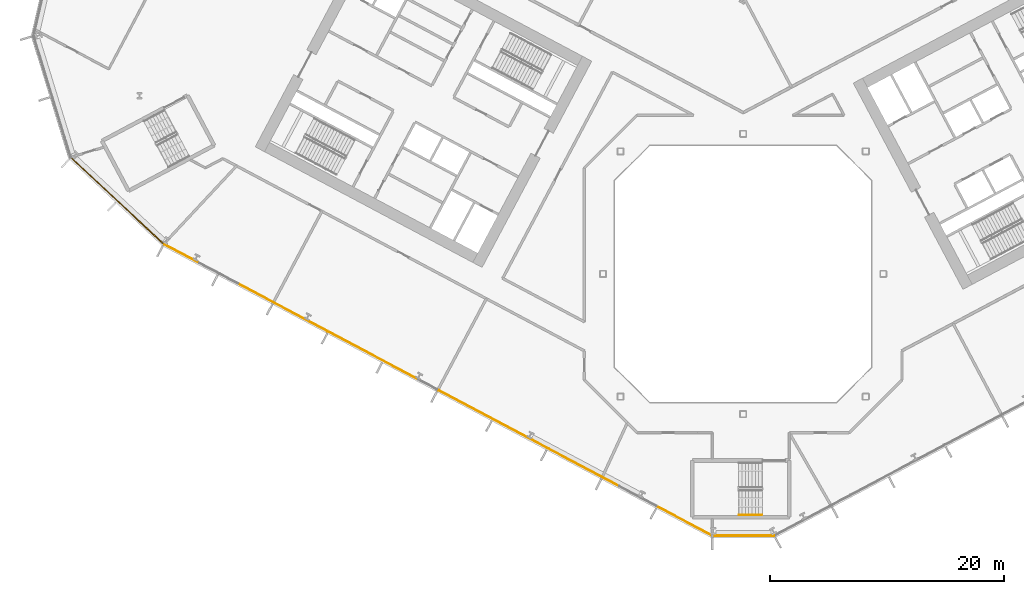
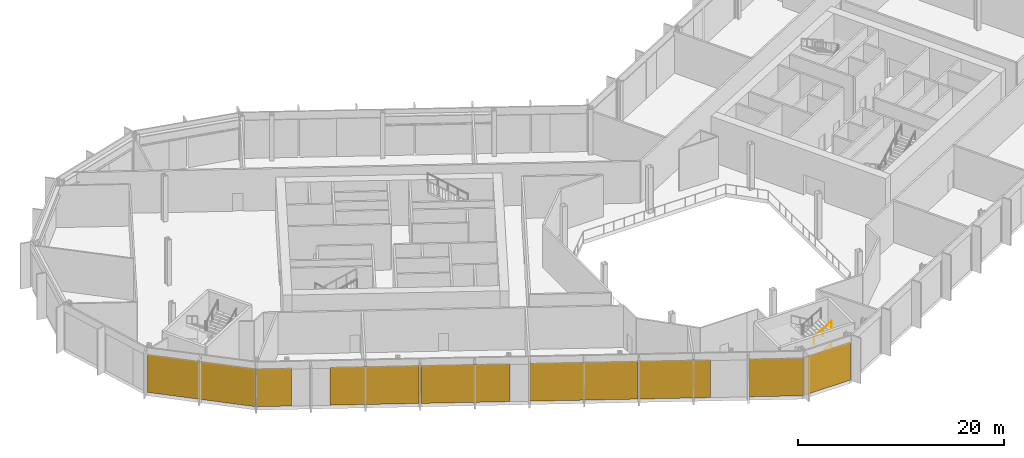
# One storey, part 20 of 31: 8 coverings, 2 railings, 3 elements without a shape of their own.
"""IFC4 building model written with IfcOpenShell, lengths in metres."""

import ifcopenshell
import ifcopenshell.guid

model = None  # the IFC model being written
_history = None  # IfcOwnerHistory: only IFC2X3 demands one
_inside = {}  # id of a spatial element -> (the spatial element, [elements in it])
_under = {}  # id of a project, library or spatial element -> (it, [spatial elements below it])
_declared = {}  # id of a project -> (the project, [libraries it declares])
_typed = {}  # id of a type object -> (the type object, [elements of that type])
_made_of = {}  # id of a material, layer set ... -> (it, [elements and type objects made of it])


def new_model(schema):
    """Start an empty IFC model of exactly this schema.

    Asked for "IFC4X3", IfcOpenShell would pick the latest addendum, in which some entities
    have other attributes; the version numbers below select the first issue.
    IFC2X3 requires an IfcOwnerHistory on every rooted entity: one is made here for all.
    """
    global model, _history
    if schema == "IFC4X3":
        model = ifcopenshell.file(schema_version=(4, 3, 0, 0))
    else:
        model = ifcopenshell.file(schema=schema)
    _inside.clear()
    _under.clear()
    _declared.clear()
    _typed.clear()
    _made_of.clear()
    _history = None
    if model.schema == "IFC2X3":
        org = make("IfcOrganization", Name="unknown")
        user = make(
            "IfcPersonAndOrganization",
            ThePerson=make("IfcPerson", FamilyName="unknown"),
            TheOrganization=org,
        )
        app = make(
            "IfcApplication",
            ApplicationDeveloper=org,
            Version="unknown",
            ApplicationFullName="unknown",
            ApplicationIdentifier="unknown",
        )
        _history = make(
            "IfcOwnerHistory",
            OwningUser=user,
            OwningApplication=app,
            ChangeAction="ADDED",
            CreationDate=0,
        )
    return model


def make(cls, **values):
    """One entity of the class cls with the attributes given. An attribute that is None is left unset."""
    return model.create_entity(
        cls, **{name: value for name, value in values.items() if value is not None}
    )


def rooted(cls, **values):
    """An entity with a GlobalId (a new one), such as an element, a storey or a relation."""
    return make(cls, GlobalId=ifcopenshell.guid.new(), OwnerHistory=_history, **values)


def si_unit(unit_type, name, prefix=None):
    """IfcSIUnit, for example si_unit("LENGTHUNIT", "METRE", prefix="MILLI")."""
    return make("IfcSIUnit", UnitType=unit_type, Prefix=prefix, Name=name)


def assignment(units):
    """IfcUnitAssignment: the units of a project."""
    return None if units is None else make("IfcUnitAssignment", Units=units)


def point(xyz):
    """IfcCartesianPoint."""
    return None if xyz is None else make("IfcCartesianPoint", Coordinates=xyz)


def direction(xyz):
    """IfcDirection."""
    return None if xyz is None else make("IfcDirection", DirectionRatios=xyz)


def frame(location, z_axis=None, x_axis=None):
    """IfcAxis2Placement3D, a coordinate frame: its origin and axes. An axis left out is left unset."""
    return make(
        "IfcAxis2Placement3D",
        Location=point(location),
        Axis=direction(z_axis),
        RefDirection=direction(x_axis),
    )


def frame_2d(location, x_axis=None):
    """IfcAxis2Placement2D, a coordinate frame in the plane: its origin and x axis."""
    return make(
        "IfcAxis2Placement2D", Location=point(location), RefDirection=direction(x_axis)
    )


def origin():
    """The frame at (0, 0, 0) with its axes left unset."""
    return frame((0.0, 0.0, 0.0))


def origin_2d():
    """The frame at (0, 0) in the plane with its x axis left unset."""
    return frame_2d((0.0, 0.0))


def place(relative_to, where):
    """IfcLocalPlacement: puts the frame where relative to a parent placement (None: the world)."""
    return make(
        "IfcLocalPlacement", PlacementRelTo=relative_to, RelativePlacement=where
    )


def context(
    kind, dimensions, precision=None, world=None, true_north=None, identifier=None
):
    """IfcGeometricRepresentationContext, for example the 3D "Model" context."""
    return make(
        "IfcGeometricRepresentationContext",
        ContextIdentifier=identifier,
        ContextType=kind,
        CoordinateSpaceDimension=dimensions,
        Precision=precision,
        WorldCoordinateSystem=world,
        TrueNorth=true_north,
    )


def subcontext(parent, identifier, kind, view, scale=None):
    """IfcGeometricRepresentationSubContext, for example "Body" below "Model"."""
    return make(
        "IfcGeometricRepresentationSubContext",
        ContextIdentifier=identifier,
        ContextType=kind,
        ParentContext=parent,
        TargetScale=scale,
        TargetView=view,
    )


def project(units=None, contexts=None):
    """IfcProject with its units and contexts."""
    return rooted(
        "IfcProject",
        Name="project",
        RepresentationContexts=contexts,
        UnitsInContext=assignment(units),
    )


def spatial(cls, under=None, at=None, **own):
    """A site, building, storey or space (cls), placed at a placement, below another one or the project."""
    s = rooted(cls, ObjectPlacement=at, **own)
    if under is not None:
        _under.setdefault(under.id(), (under, []))[1].append(s)
    return s


def polyline(points):
    """IfcPolyline through the points."""
    return make("IfcPolyline", Points=[point(p) for p in points])


def profile(cls, at=None, kind="AREA", **sizes):
    """A parametric profile (cls). Its sizes go by their IFC names, for example OverallWidth=200.0."""
    return make(cls, ProfileType=kind, Position=at, **sizes)


def rectangle(**sizes):
    """IfcRectangleProfileDef."""
    return profile("IfcRectangleProfileDef", **sizes)


def outline(outer, holes=None, kind="AREA"):
    """IfcArbitraryClosedProfileDef: a profile drawn as a closed curve; with holes, ...WithVoids."""
    if holes is None:
        return make("IfcArbitraryClosedProfileDef", ProfileType=kind, OuterCurve=outer)
    return make(
        "IfcArbitraryProfileDefWithVoids",
        ProfileType=kind,
        OuterCurve=outer,
        InnerCurves=holes,
    )


def extrude(swept, where, along, depth):
    """IfcExtrudedAreaSolid: the profile swept, set in the frame where, extruded along a direction by depth."""
    return make(
        "IfcExtrudedAreaSolid",
        SweptArea=swept,
        Position=where,
        ExtrudedDirection=direction(along),
        Depth=depth,
    )


def shape(context_of_items, identifier, shape_type, items):
    """IfcShapeRepresentation: the items that make up one representation, for example the "Body"."""
    return make(
        "IfcShapeRepresentation",
        ContextOfItems=context_of_items,
        RepresentationIdentifier=identifier,
        RepresentationType=shape_type,
        Items=items,
    )


def material(Name=None, Category=None):
    """IfcMaterial."""
    return make("IfcMaterial", Name=Name, Category=Category)


def layer(
    of_material, thickness, ventilated=None, Name=None, Category=None, Priority=None
):
    """IfcMaterialLayer: one layer of a wall or slab, of a material (None: an air gap)."""
    return make(
        "IfcMaterialLayer",
        Material=of_material,
        LayerThickness=thickness,
        IsVentilated=ventilated,
        Name=Name,
        Category=Category,
        Priority=Priority,
    )


def layer_set(layers, Name=None):
    """IfcMaterialLayerSet."""
    return make("IfcMaterialLayerSet", MaterialLayers=layers, LayerSetName=Name)


def made_of(thing, what):
    """Note that an element or type object is made of a material, layer set ...; save() writes the relation."""
    if what is not None:
        _made_of.setdefault(what.id(), (what, []))[1].append(thing)
    return thing


def type_object(cls, material=None, **own):
    """A type object (cls), such as IfcWallType, which elements share."""
    return made_of(rooted(cls, **own), material)


def element(
    cls,
    number,
    at=None,
    inside=None,
    cuts=None,
    type_object=None,
    material=None,
    context=None,
    identifier="Body",
    shape_type=None,
    held_by="IfcProductDefinitionShape",
    body=None,
    shapes=None,
    **own,
):
    """One element of the class cls, such as IfcWall. Its Tag is "e" and its number.

    at: its placement. inside: the storey or other place that contains it. cuts: it is an
    opening in that element (IfcRelVoidsElement). A single representation is given by context,
    identifier, shape_type and body (its items); several are given by shapes. held_by: the class
    of the entity that holds the representations. save() writes the other relations.
    """
    e = rooted(cls, Tag="e%d" % number, ObjectPlacement=at, **own)
    if body is not None:
        shapes = [shape(context, identifier, shape_type, body)]
    if shapes is not None:
        e.Representation = make(held_by, Representations=shapes)
    if inside is not None:
        _inside.setdefault(inside.id(), (inside, []))[1].append(e)
    if cuts is not None:
        rooted(
            "IfcRelVoidsElement", RelatingBuildingElement=cuts, RelatedOpeningElement=e
        )
    if type_object is not None:
        _typed.setdefault(type_object.id(), (type_object, []))[1].append(e)
    return made_of(e, material)


def aggregate(whole, parts):
    """IfcRelAggregates: a whole, such as a stair, and the parts it consists of."""
    return rooted("IfcRelAggregates", RelatingObject=whole, RelatedObjects=parts)


def save(model, path):
    """Write the relations noted so far, then the file.

    IfcRelAggregates (storeys below a building ...), IfcRelContainedInSpatialStructure (elements
    in a storey), IfcRelDefinesByType, IfcRelAssociatesMaterial and IfcRelDeclares: one each for
    every whole, place, type object, material and project.
    """
    for whole, parts in _under.values():
        aggregate(whole, parts)
    for where, things in _inside.values():
        rooted(
            "IfcRelContainedInSpatialStructure",
            RelatedElements=things,
            RelatingStructure=where,
        )
    for kind, things in _typed.values():
        rooted("IfcRelDefinesByType", RelatedObjects=things, RelatingType=kind)
    for what, things in _made_of.values():
        rooted("IfcRelAssociatesMaterial", RelatedObjects=things, RelatingMaterial=what)
    for by, libraries in _declared.values():
        rooted("IfcRelDeclares", RelatingContext=by, RelatedDefinitions=libraries)
    model.write(path)


model = new_model("IFC4")

# Units and contexts
model_context = context("Model", 3, precision=1e-05, world=origin(), true_north=direction((0.0, 1.0)))
body_context = subcontext(model_context, "Body", "Model", "MODEL_VIEW")
ifc_project = project(units=[si_unit("LENGTHUNIT", "METRE"), si_unit("AREAUNIT", "SQUARE_METRE"), si_unit("VOLUMEUNIT", "CUBIC_METRE"), si_unit("PLANEANGLEUNIT", "RADIAN"), si_unit("MASSUNIT", "GRAM", prefix="KILO")], contexts=[model_context])

# Site, building, storey
site_placement = place(None, origin())
site = spatial("IfcSite", under=ifc_project, at=site_placement, CompositionType="ELEMENT")
building_placement = place(site_placement, origin())
building = spatial("IfcBuilding", under=site, at=building_placement, Name="Cormorant Relay Tower", CompositionType="ELEMENT")
storey_placement = place(building_placement, frame((0.0, 0.0, 33.800048828125)))
storey = spatial("IfcBuildingStorey", under=building, at=storey_placement, Name="L06", CompositionType="ELEMENT", Elevation=33.800048828125)

# Curtain wall, covering
ifc_material_1 = material(Name="Aluminium 6063-T6 anodised bronze", Category="aluminium")
ifc_layer_1 = layer(ifc_material_1, 0.235107421875)
ifc_layer_set_1 = layer_set([ifc_layer_1], Name="CW6 data hall curtain wall with mineral wool panels")
curtain_wall_type = type_object("IfcCurtainWallType", Name="CW6 data hall curtain wall with mineral wool panels", PredefinedType="NOTDEFINED", material=ifc_layer_set_1)
curtain_wall_1_placement = place(storey_placement, origin())
curtain_wall_1 = element("IfcCurtainWall", 1, at=curtain_wall_1_placement, inside=storey, type_object=curtain_wall_type, Name="CW6 curtain wall 1", PredefinedType="NOTDEFINED")
ifc_material_2 = material(Name="Mineral wool cored anodised bronze aluminium cassette panel", Category="aluminium")
ifc_layer_2 = layer(ifc_material_2, 0.074951171875)
ifc_layer_set_2 = layer_set([ifc_layer_2], Name="CW6 mineral wool cassette panel 75")
covering_type = type_object("IfcCoveringType", Name="CW6 mineral wool cassette panel 75", PredefinedType="CLADDING", material=ifc_layer_set_2)
covering_1_placement = place(storey_placement, frame((0.03759765625, -22.4130859375, 0.0), z_axis=(0.0, 0.0, 1.0), x_axis=(1.0, 0.0, 0.0)))
covering_1 = element("IfcCovering", 2, at=covering_1_placement, type_object=covering_type, Name="CW6 panel S00", PredefinedType="CLADDING", context=body_context, shape_type="SweptSolid", body=[
    extrude(rectangle(XDim=5.22265625, YDim=0.074951171875, at=origin_2d()), origin(), (0.0, 0.0, 1.0), 4.5),
])
aggregate(curtain_wall_1, [covering_1])

curtain_wall_2_placement = place(storey_placement, origin())
curtain_wall_2 = element("IfcCurtainWall", 3, at=curtain_wall_2_placement, inside=storey, type_object=curtain_wall_type, Name="CW6 curtain wall 13", PredefinedType="NOTDEFINED")
covering_2_placement = place(storey_placement, frame((-53.564697265625, 6.238037109375, 0.0), z_axis=(0.0, 0.0, 1.0), x_axis=(0.731353701619, -0.681998360062, 0.0)))
covering_2 = element("IfcCovering", 4, at=covering_2_placement, type_object=covering_type, Name="CW6 panel S00", PredefinedType="CLADDING", context=body_context, shape_type="SweptSolid", body=[
    extrude(rectangle(XDim=10.79541015625, YDim=0.074951171875, at=origin_2d()), origin(), (0.0, 0.0, 1.0), 4.5),
])
aggregate(curtain_wall_2, [covering_2])

# Curtain wall, coverings
curtain_wall_3_placement = place(storey_placement, origin())
curtain_wall_3 = element("IfcCurtainWall", 5, at=curtain_wall_3_placement, inside=storey, type_object=curtain_wall_type, Name="CW6 curtain wall 14", PredefinedType="NOTDEFINED")
covering_3_placement = place(storey_placement, frame((-48.056640625, 1.7255859375, 0.0), z_axis=(0.0, 0.0, 1.0), x_axis=(0.882947592859, -0.469471562786, 0.0)))
covering_3 = element("IfcCovering", 6, at=covering_3_placement, type_object=covering_type, Name="CW6 panel S00", PredefinedType="CLADDING", context=body_context, shape_type="SweptSolid", body=[
    extrude(rectangle(XDim=3.36669921875, YDim=0.074951171875, at=origin_2d()), origin(), (0.0, 0.0, 1.0), 4.5),
])
covering_4_placement = place(storey_placement, frame((-39.426025390625, -2.86328125, 0.0), z_axis=(0.0, 0.0, 1.0), x_axis=(0.882947592859, -0.469471562786, 0.0)))
covering_4 = element("IfcCovering", 7, at=covering_4_placement, type_object=covering_type, Name="CW6 panel S03", PredefinedType="CLADDING", context=body_context, shape_type="SweptSolid", body=[
    extrude(rectangle(XDim=8.68310546875, YDim=0.074951171875, at=origin_2d()), origin(), (0.0, 0.0, 1.0), 4.5),
])
covering_5_placement = place(storey_placement, frame((-31.626708984375, -7.01025390625, 0.0), z_axis=(0.0, 0.0, 1.0), x_axis=(0.882947592859, -0.469471562786, 0.0)))
covering_5 = element("IfcCovering", 8, at=covering_5_placement, type_object=covering_type, Name="CW6 panel S04", PredefinedType="CLADDING", context=body_context, shape_type="SweptSolid", body=[
    extrude(rectangle(XDim=8.68310546875, YDim=0.074951171875, at=origin_2d()), origin(), (0.0, 0.0, 1.0), 4.5),
])
covering_6_placement = place(storey_placement, frame((-21.443603515625, -12.4248046875, 0.0), z_axis=(0.0, 0.0, 1.0), x_axis=(0.882947592859, -0.469471562786, 0.0)))
covering_6 = element("IfcCovering", 9, at=covering_6_placement, type_object=covering_type, Name="CW6 panel S06", PredefinedType="CLADDING", context=body_context, shape_type="SweptSolid", body=[
    extrude(rectangle(XDim=10.483154296875, YDim=0.074951171875, at=origin_2d()), origin(), (0.0, 0.0, 1.0), 4.5),
])
covering_7_placement = place(storey_placement, frame((-13.644287109375, -16.571533203125, 0.0), z_axis=(0.0, 0.0, 1.0), x_axis=(0.882947592859, -0.469471562786, 0.0)))
covering_7 = element("IfcCovering", 10, at=covering_7_placement, type_object=covering_type, Name="CW6 panel S07", PredefinedType="CLADDING", context=body_context, shape_type="SweptSolid", body=[
    extrude(rectangle(XDim=6.88330078125, YDim=0.074951171875, at=origin_2d()), origin(), (0.0, 0.0, 1.0), 4.5),
])
covering_8_placement = place(storey_placement, frame((-4.98046875, -21.17822265625, 0.0), z_axis=(0.0, 0.0, 1.0), x_axis=(0.882947592859, -0.469471562786, 0.0)))
covering_8 = element("IfcCovering", 11, at=covering_8_placement, type_object=covering_type, Name="CW6 panel S09", PredefinedType="CLADDING", context=body_context, shape_type="SweptSolid", body=[
    extrude(rectangle(XDim=5.24169921875, YDim=0.074951171875, at=origin_2d()), origin(), (0.0, 0.0, 1.0), 4.5),
])
aggregate(curtain_wall_3, [covering_3, covering_4, covering_5, covering_6, covering_7, covering_8])

# Railings
ifc_material_3 = material(Name="Steel ASTM A572 Grade 50 (Fy 345 MPa)", Category="steel")
railing_type = type_object("IfcRailingType", Name="Stair handrail 900", PredefinedType="HANDRAIL", material=ifc_material_3)
for number, where, name in (
    (12, (-0.360107421875, -20.625, 1.518798828125), "L06 RK1 stair handrail 2"),
    (13, (-0.360107421875, -20.625, 4.21875), "L06 RK1 stair handrail 4"),
):
    element("IfcRailing", number, at=place(storey_placement, frame(where)), inside=storey, type_object=railing_type, Name=name, PredefinedType="HANDRAIL", context=body_context, shape_type="SweptSolid", body=[
        extrude(outline(polyline([(0.022216796875, 0.00927734375), (0.00927734375, 0.022216796875), (-0.00927734375, 0.022216796875), (-0.022216796875, 0.00927734375), (-0.022216796875, -0.00927734375), (-0.00927734375, -0.022216796875), (0.00927734375, -0.022216796875), (0.022216796875, -0.00927734375), (0.022216796875, 0.00927734375)])), frame((0.0, 0.0, 0.8759765625), z_axis=(0.856521883693, 0.0, 0.516110707847), x_axis=(0.0, 1.0, 0.0)), (0.0, 0.0, 1.0), 2.28857421875),
        extrude(outline(polyline([(0.019287109375, 0.008056640625), (0.008056640625, 0.019287109375), (-0.008056640625, 0.019287109375), (-0.019287109375, 0.008056640625), (-0.019287109375, -0.008056640625), (-0.008056640625, -0.019287109375), (0.008056640625, -0.019287109375), (0.019287109375, -0.008056640625), (0.019287109375, 0.008056640625)])), origin(), (0.0, 0.0, 1.0), 0.851806640625),
        extrude(outline(polyline([(0.019287109375, 0.008056640625), (0.008056640625, 0.019287109375), (-0.008056640625, 0.019287109375), (-0.019287109375, 0.008056640625), (-0.019287109375, -0.008056640625), (-0.008056640625, -0.019287109375), (0.008056640625, -0.019287109375), (0.019287109375, -0.008056640625), (0.019287109375, 0.008056640625)])), frame((0.97998046875, 0.0, 0.590576171875)), (0.0, 0.0, 1.0), 0.851806640625),
        extrude(outline(polyline([(0.019287109375, 0.008056640625), (0.008056640625, 0.019287109375), (-0.008056640625, 0.019287109375), (-0.019287109375, 0.008056640625), (-0.019287109375, -0.008056640625), (-0.008056640625, -0.019287109375), (0.008056640625, -0.019287109375), (0.019287109375, -0.008056640625), (0.019287109375, 0.008056640625)])), frame((1.960205078125, 0.0, 1.18115234375)), (0.0, 0.0, 1.0), 0.851806640625),
    ])

save(model, "model.ifc")
